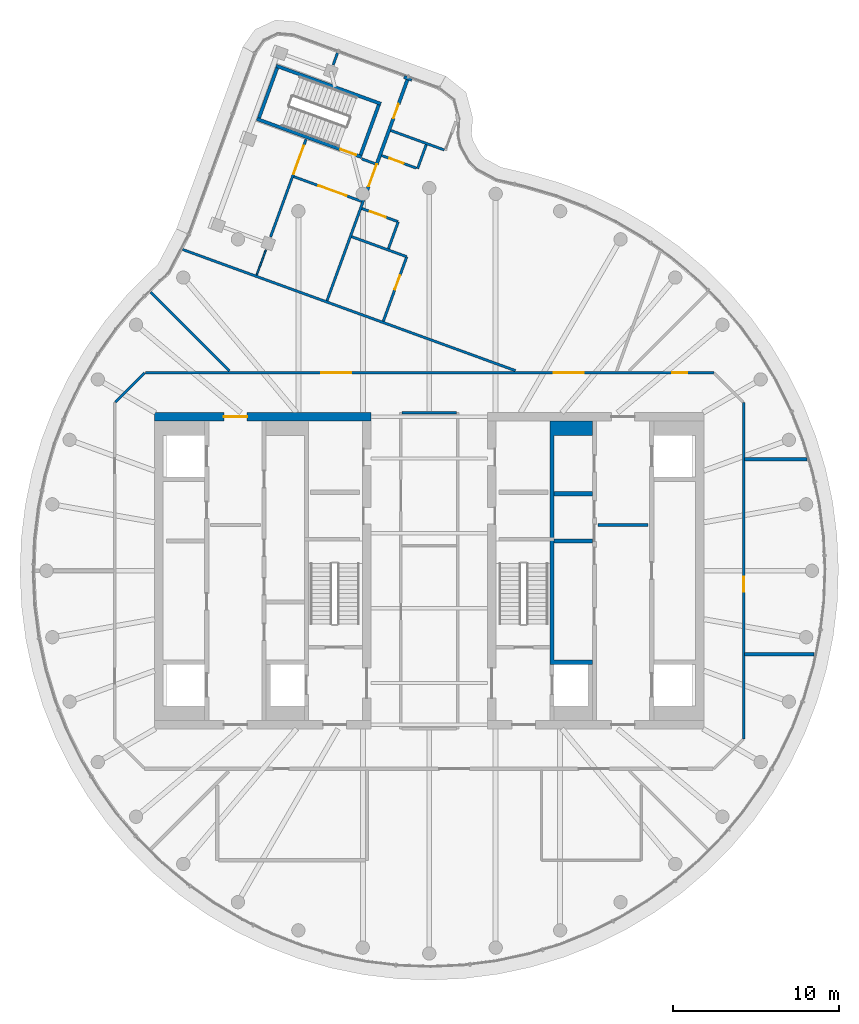
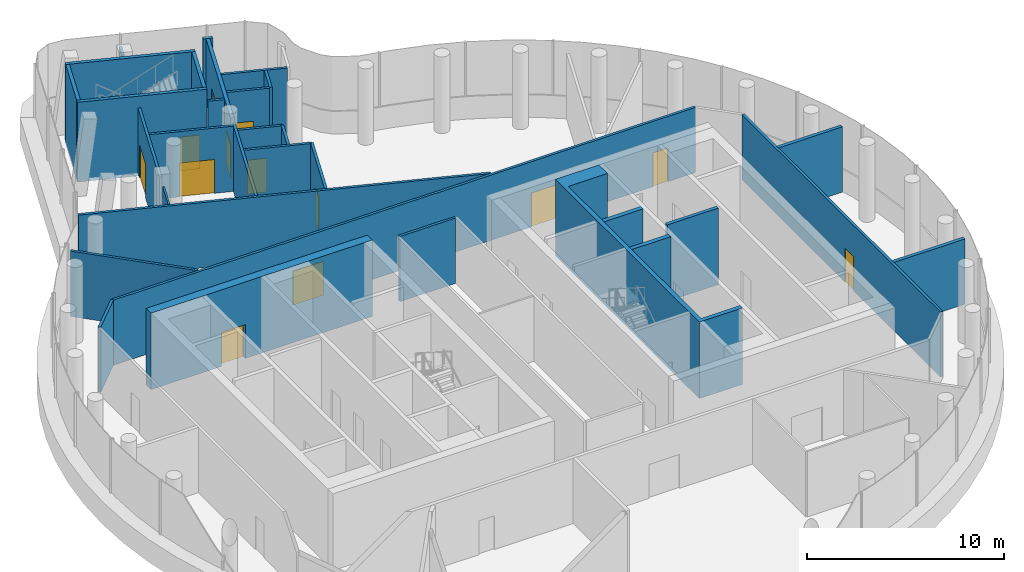
# One storey, part 10 of 12: 32 walls, 13 doors, 13 openings.
"""IFC4 building model written with IfcOpenShell, lengths in metres."""

import ifcopenshell
import ifcopenshell.guid

model = None  # the IFC model being written
_history = None  # IfcOwnerHistory: only IFC2X3 demands one
_inside = {}  # id of a spatial element -> (the spatial element, [elements in it])
_under = {}  # id of a project, library or spatial element -> (it, [spatial elements below it])
_declared = {}  # id of a project -> (the project, [libraries it declares])
_typed = {}  # id of a type object -> (the type object, [elements of that type])
_made_of = {}  # id of a material, layer set ... -> (it, [elements and type objects made of it])


def new_model(schema):
    """Start an empty IFC model of exactly this schema.

    Asked for "IFC4X3", IfcOpenShell would pick the latest addendum, in which some entities
    have other attributes; the version numbers below select the first issue.
    IFC2X3 requires an IfcOwnerHistory on every rooted entity: one is made here for all.
    """
    global model, _history
    if schema == "IFC4X3":
        model = ifcopenshell.file(schema_version=(4, 3, 0, 0))
    else:
        model = ifcopenshell.file(schema=schema)
    _inside.clear()
    _under.clear()
    _declared.clear()
    _typed.clear()
    _made_of.clear()
    _history = None
    if model.schema == "IFC2X3":
        org = make("IfcOrganization", Name="unknown")
        user = make(
            "IfcPersonAndOrganization",
            ThePerson=make("IfcPerson", FamilyName="unknown"),
            TheOrganization=org,
        )
        app = make(
            "IfcApplication",
            ApplicationDeveloper=org,
            Version="unknown",
            ApplicationFullName="unknown",
            ApplicationIdentifier="unknown",
        )
        _history = make(
            "IfcOwnerHistory",
            OwningUser=user,
            OwningApplication=app,
            ChangeAction="ADDED",
            CreationDate=0,
        )
    return model


def make(cls, **values):
    """One entity of the class cls with the attributes given. An attribute that is None is left unset."""
    return model.create_entity(
        cls, **{name: value for name, value in values.items() if value is not None}
    )


def rooted(cls, **values):
    """An entity with a GlobalId (a new one), such as an element, a storey or a relation."""
    return make(cls, GlobalId=ifcopenshell.guid.new(), OwnerHistory=_history, **values)


def si_unit(unit_type, name, prefix=None):
    """IfcSIUnit, for example si_unit("LENGTHUNIT", "METRE", prefix="MILLI")."""
    return make("IfcSIUnit", UnitType=unit_type, Prefix=prefix, Name=name)


def assignment(units):
    """IfcUnitAssignment: the units of a project."""
    return None if units is None else make("IfcUnitAssignment", Units=units)


def point(xyz):
    """IfcCartesianPoint."""
    return None if xyz is None else make("IfcCartesianPoint", Coordinates=xyz)


def direction(xyz):
    """IfcDirection."""
    return None if xyz is None else make("IfcDirection", DirectionRatios=xyz)


def frame(location, z_axis=None, x_axis=None):
    """IfcAxis2Placement3D, a coordinate frame: its origin and axes. An axis left out is left unset."""
    return make(
        "IfcAxis2Placement3D",
        Location=point(location),
        Axis=direction(z_axis),
        RefDirection=direction(x_axis),
    )


def frame_2d(location, x_axis=None):
    """IfcAxis2Placement2D, a coordinate frame in the plane: its origin and x axis."""
    return make(
        "IfcAxis2Placement2D", Location=point(location), RefDirection=direction(x_axis)
    )


def origin():
    """The frame at (0, 0, 0) with its axes left unset."""
    return frame((0.0, 0.0, 0.0))


def place(relative_to, where):
    """IfcLocalPlacement: puts the frame where relative to a parent placement (None: the world)."""
    return make(
        "IfcLocalPlacement", PlacementRelTo=relative_to, RelativePlacement=where
    )


def context(
    kind, dimensions, precision=None, world=None, true_north=None, identifier=None
):
    """IfcGeometricRepresentationContext, for example the 3D "Model" context."""
    return make(
        "IfcGeometricRepresentationContext",
        ContextIdentifier=identifier,
        ContextType=kind,
        CoordinateSpaceDimension=dimensions,
        Precision=precision,
        WorldCoordinateSystem=world,
        TrueNorth=true_north,
    )


def subcontext(parent, identifier, kind, view, scale=None):
    """IfcGeometricRepresentationSubContext, for example "Body" below "Model"."""
    return make(
        "IfcGeometricRepresentationSubContext",
        ContextIdentifier=identifier,
        ContextType=kind,
        ParentContext=parent,
        TargetScale=scale,
        TargetView=view,
    )


def project(units=None, contexts=None):
    """IfcProject with its units and contexts."""
    return rooted(
        "IfcProject",
        Name="project",
        RepresentationContexts=contexts,
        UnitsInContext=assignment(units),
    )


def spatial(cls, under=None, at=None, **own):
    """A site, building, storey or space (cls), placed at a placement, below another one or the project."""
    s = rooted(cls, ObjectPlacement=at, **own)
    if under is not None:
        _under.setdefault(under.id(), (under, []))[1].append(s)
    return s


def polyline(points):
    """IfcPolyline through the points."""
    return make("IfcPolyline", Points=[point(p) for p in points])


def profile(cls, at=None, kind="AREA", **sizes):
    """A parametric profile (cls). Its sizes go by their IFC names, for example OverallWidth=200.0."""
    return make(cls, ProfileType=kind, Position=at, **sizes)


def rectangle(**sizes):
    """IfcRectangleProfileDef."""
    return profile("IfcRectangleProfileDef", **sizes)


def outline(outer, holes=None, kind="AREA"):
    """IfcArbitraryClosedProfileDef: a profile drawn as a closed curve; with holes, ...WithVoids."""
    if holes is None:
        return make("IfcArbitraryClosedProfileDef", ProfileType=kind, OuterCurve=outer)
    return make(
        "IfcArbitraryProfileDefWithVoids",
        ProfileType=kind,
        OuterCurve=outer,
        InnerCurves=holes,
    )


def extrude(swept, where, along, depth):
    """IfcExtrudedAreaSolid: the profile swept, set in the frame where, extruded along a direction by depth."""
    return make(
        "IfcExtrudedAreaSolid",
        SweptArea=swept,
        Position=where,
        ExtrudedDirection=direction(along),
        Depth=depth,
    )


def shape(context_of_items, identifier, shape_type, items):
    """IfcShapeRepresentation: the items that make up one representation, for example the "Body"."""
    return make(
        "IfcShapeRepresentation",
        ContextOfItems=context_of_items,
        RepresentationIdentifier=identifier,
        RepresentationType=shape_type,
        Items=items,
    )


def material(Name=None, Category=None):
    """IfcMaterial."""
    return make("IfcMaterial", Name=Name, Category=Category)


def layer(
    of_material, thickness, ventilated=None, Name=None, Category=None, Priority=None
):
    """IfcMaterialLayer: one layer of a wall or slab, of a material (None: an air gap)."""
    return make(
        "IfcMaterialLayer",
        Material=of_material,
        LayerThickness=thickness,
        IsVentilated=ventilated,
        Name=Name,
        Category=Category,
        Priority=Priority,
    )


def layer_set(layers, Name=None):
    """IfcMaterialLayerSet."""
    return make("IfcMaterialLayerSet", MaterialLayers=layers, LayerSetName=Name)


def made_of(thing, what):
    """Note that an element or type object is made of a material, layer set ...; save() writes the relation."""
    if what is not None:
        _made_of.setdefault(what.id(), (what, []))[1].append(thing)
    return thing


def type_object(cls, material=None, **own):
    """A type object (cls), such as IfcWallType, which elements share."""
    return made_of(rooted(cls, **own), material)


def element(
    cls,
    number,
    at=None,
    inside=None,
    cuts=None,
    type_object=None,
    material=None,
    context=None,
    identifier="Body",
    shape_type=None,
    held_by="IfcProductDefinitionShape",
    body=None,
    shapes=None,
    **own,
):
    """One element of the class cls, such as IfcWall. Its Tag is "e" and its number.

    at: its placement. inside: the storey or other place that contains it. cuts: it is an
    opening in that element (IfcRelVoidsElement). A single representation is given by context,
    identifier, shape_type and body (its items); several are given by shapes. held_by: the class
    of the entity that holds the representations. save() writes the other relations.
    """
    e = rooted(cls, Tag="e%d" % number, ObjectPlacement=at, **own)
    if body is not None:
        shapes = [shape(context, identifier, shape_type, body)]
    if shapes is not None:
        e.Representation = make(held_by, Representations=shapes)
    if inside is not None:
        _inside.setdefault(inside.id(), (inside, []))[1].append(e)
    if cuts is not None:
        rooted(
            "IfcRelVoidsElement", RelatingBuildingElement=cuts, RelatedOpeningElement=e
        )
    if type_object is not None:
        _typed.setdefault(type_object.id(), (type_object, []))[1].append(e)
    return made_of(e, material)


def fill(opening, filler):
    """IfcRelFillsElement: the door or window that sits in an opening."""
    return rooted(
        "IfcRelFillsElement",
        RelatingOpeningElement=opening,
        RelatedBuildingElement=filler,
    )


def aggregate(whole, parts):
    """IfcRelAggregates: a whole, such as a stair, and the parts it consists of."""
    return rooted("IfcRelAggregates", RelatingObject=whole, RelatedObjects=parts)


def save(model, path):
    """Write the relations noted so far, then the file.

    IfcRelAggregates (storeys below a building ...), IfcRelContainedInSpatialStructure (elements
    in a storey), IfcRelDefinesByType, IfcRelAssociatesMaterial and IfcRelDeclares: one each for
    every whole, place, type object, material and project.
    """
    for whole, parts in _under.values():
        aggregate(whole, parts)
    for where, things in _inside.values():
        rooted(
            "IfcRelContainedInSpatialStructure",
            RelatedElements=things,
            RelatingStructure=where,
        )
    for kind, things in _typed.values():
        rooted("IfcRelDefinesByType", RelatedObjects=things, RelatingType=kind)
    for what, things in _made_of.values():
        rooted("IfcRelAssociatesMaterial", RelatedObjects=things, RelatingMaterial=what)
    for by, libraries in _declared.values():
        rooted("IfcRelDeclares", RelatingContext=by, RelatedDefinitions=libraries)
    model.write(path)


model = new_model("IFC4")

# Units and contexts
model_context = context("Model", 3, precision=1e-05, world=origin(), true_north=direction((0.0, 1.0)))
body_context = subcontext(model_context, "Body", "Model", "MODEL_VIEW")
ifc_project = project(units=[si_unit("LENGTHUNIT", "METRE"), si_unit("AREAUNIT", "SQUARE_METRE"), si_unit("VOLUMEUNIT", "CUBIC_METRE"), si_unit("PLANEANGLEUNIT", "RADIAN"), si_unit("MASSUNIT", "GRAM", prefix="KILO")], contexts=[model_context])

# Site, building, storey
site_placement = place(None, origin())
site = spatial("IfcSite", under=ifc_project, at=site_placement, CompositionType="ELEMENT")
building_placement = place(site_placement, origin())
building = spatial("IfcBuilding", under=site, at=building_placement, Name="Tamarind Cross Interchange Tower", CompositionType="ELEMENT")
storey_placement = place(building_placement, frame((0.0, 0.0, 294.39990234375)))
storey = spatial("IfcBuildingStorey", under=building, at=storey_placement, Name="L73", CompositionType="ELEMENT", Elevation=294.39990234375)

# Wall, opening, door
ifc_material_1 = material(Name="Concrete C50", Category="concrete")
ifc_layer_1 = layer(ifc_material_1, 0.5)
ifc_layer_set_1 = layer_set([ifc_layer_1], Name="Concrete C50")
wall_type_1 = type_object("IfcWallType", Name="Core wall 500 mm Concrete C50", PredefinedType="SHEAR", material=ifc_layer_set_1)
wall_1_placement = place(storey_placement, frame((-16.5, 9.25, 0.0), z_axis=(0.0, 0.0, 1.0), x_axis=(1.0, 0.0, 0.0)))
wall_1 = element("IfcWall", 1, at=wall_1_placement, inside=storey, type_object=wall_type_1, Name="Core wall CWL-L73-W-N", PredefinedType="SHEAR", context=body_context, shape_type="SweptSolid", body=[
    extrude(rectangle(XDim=13.0, YDim=0.5, at=frame_2d((6.5, 0.0))), origin(), (0.0, 0.0, 1.0), 4.75),
])
opening_1_placement = place(wall_1_placement, frame((4.14990234375, 0.0, 0.0)))
opening_1 = element("IfcOpeningElement", 2, at=opening_1_placement, cuts=wall_1, Name="Opening DCW3", PredefinedType="OPENING", context=body_context, shape_type="SweptSolid", body=[
    extrude(rectangle(XDim=1.39990234375, YDim=2.10009765625, at=frame_2d((0.699951171875, 1.050048828125))), frame((0.0, 0.260009765625, 0.0), z_axis=(0.0, -1.0, 0.0), x_axis=(1.0, 0.0, 0.0)), (0.0, 0.0, 1.0), 0.52001953125),
])
ifc_material_2 = material(Name="Steel, fire-resisting", Category="steel")
door_type_1 = type_object("IfcDoorType", Name="Core fire door 1400 x 2100 FD90", OperationType="SINGLE_SWING_LEFT", PredefinedType="DOOR", material=ifc_material_2)
door_1_placement = place(opening_1_placement, origin())
door_1 = element("IfcDoor", 3, at=door_1_placement, inside=storey, type_object=door_type_1, Name="L73 observation lobby door", OperationType="SINGLE_SWING_LEFT", OverallHeight=2.10009765625, OverallWidth=1.39990234375, PredefinedType="DOOR", context=body_context, shape_type="SweptSolid", body=[
    extrude(rectangle(XDim=1.39990234375, YDim=2.10009765625, at=frame_2d((0.699951171875, 1.050048828125))), frame((0.0, 0.02490234375, 0.0), z_axis=(0.0, -1.0, 0.0), x_axis=(1.0, 0.0, 0.0)), (0.0, 0.0, 1.0), 0.050048828125),
])
fill(opening_1, door_1)

# Walls
ifc_layer_2 = layer(ifc_material_1, 0.25)
ifc_layer_set_2 = layer_set([ifc_layer_2], Name="Concrete C50")
wall_type_2 = type_object("IfcWallType", Name="Core web wall 250 mm Concrete C50", PredefinedType="SHEAR", material=ifc_layer_set_2)
wall_2_placement = place(storey_placement, origin())
element("IfcWall", 4, at=wall_2_placement, inside=storey, type_object=wall_type_2, Name="Core wall CWL-L73-E-BN", PredefinedType="SHEAR", context=body_context, shape_type="SweptSolid", body=[
    extrude(outline(polyline([(9.800048828125, -5.625), (9.800048828125, -5.375), (7.5, -5.375), (7.5, 8.125), (9.800048828125, 8.125), (9.800048828125, 9.0), (7.5, 9.0), (7.25, 9.0), (7.25, -5.625), (7.5, -5.625), (9.800048828125, -5.625)])), origin(), (0.0, 0.0, 1.0), 4.75),
])
ifc_material_3 = material(Name="Gypsum board partition on steel studs", Category="steel")
ifc_layer_3 = layer(ifc_material_3, 0.10009765625)
ifc_layer_set_3 = layer_set([ifc_layer_3], Name="Gypsum board partition on steel studs")
wall_type_3 = type_object("IfcWallType", Name="Partition 100 mm EI 90", PredefinedType="PARTITIONING", material=ifc_layer_set_3)
wall_3_placement = place(storey_placement, frame((-10.37158203125, 17.772216796875, 0.0), z_axis=(0.0, 0.0, 1.0), x_axis=(0.341926490553, 0.939726702322, 0.0)))
element("IfcWall", 5, at=wall_3_placement, inside=storey, type_object=wall_type_3, Name="Partition L73-027", PredefinedType="PARTITIONING", context=body_context, shape_type="SweptSolid", body=[
    extrude(rectangle(XDim=1.60302734375, YDim=0.10009765625, at=frame_2d((0.801513671875, 0.0))), origin(), (0.0, 0.0, 1.0), 4.050048828125),
])
ifc_layer_4 = layer(ifc_material_3, 0.14990234375)
ifc_layer_set_4 = layer_set([ifc_layer_4], Name="Gypsum board partition on steel studs")
wall_type_4 = type_object("IfcWallType", Name="Partition 150 mm EI 120", PredefinedType="PARTITIONING", material=ifc_layer_set_4)
wall_4_placement = place(storey_placement, frame((-16.740478515625, 16.740478515625, 0.0), z_axis=(0.0, 0.0, 1.0), x_axis=(0.707106781187, -0.707106781187, 0.0)))
element("IfcWall", 6, at=wall_4_placement, inside=storey, type_object=wall_type_4, Name="Partition L73-002", PredefinedType="PARTITIONING", context=body_context, shape_type="SweptSolid", body=[
    extrude(rectangle(XDim=6.690673828125, YDim=0.14990234375, at=frame_2d((3.34521484375, 0.0))), origin(), (0.0, 0.0, 1.0), 4.050048828125),
])
wall_5_placement = place(storey_placement, frame((-14.823486328125, 19.3076171875, 0.0), z_axis=(0.0, 0.0, 1.0), x_axis=(0.939695278184, -0.342012842095, 0.0)))
element("IfcWall", 7, at=wall_5_placement, inside=storey, type_object=wall_type_4, Name="Partition L73-005", PredefinedType="PARTITIONING", context=body_context, shape_type="SweptSolid", body=[
    extrude(rectangle(XDim=21.28857421875, YDim=0.14990234375, at=frame_2d((10.644287109375, 0.0))), origin(), (0.0, 0.0, 1.0), 4.050048828125),
])

# Wall, opening, door
wall_6_placement = place(storey_placement, frame((-8.139404296875, 23.685302734375, 0.0), z_axis=(0.0, 0.0, 1.0), x_axis=(0.939717938518, -0.341950575415, 0.0)))
wall_6 = element("IfcWall", 8, at=wall_6_placement, inside=storey, type_object=wall_type_4, Name="Partition L73-006", PredefinedType="PARTITIONING", context=body_context, shape_type="SweptSolid", body=[
    extrude(rectangle(XDim=4.34521484375, YDim=0.14990234375, at=frame_2d((2.172607421875, 0.0))), origin(), (0.0, 0.0, 1.0), 4.050048828125),
])
opening_2_placement = place(wall_6_placement, frame((1.574951171875, 0.0, 0.0)))
opening_2 = element("IfcOpeningElement", 9, at=opening_2_placement, cuts=wall_6, Name="Opening D01", PredefinedType="OPENING", context=body_context, shape_type="SweptSolid", body=[
    extrude(rectangle(XDim=1.800048828125, YDim=2.10009765625, at=frame_2d((0.89990234375, 1.050048828125))), frame((0.0, 0.0849609375, 0.0), z_axis=(0.0, -1.0, 0.0), x_axis=(1.0, 0.0, 0.0)), (0.0, 0.0, 1.0), 0.169921875),
])
ifc_material_4 = material(Name="Fire-resisting door set")
door_type_2 = type_object("IfcDoorType", Name="Interior door 1800 x 2100 FD60S", OperationType="DOUBLE_DOOR_SINGLE_SWING", PredefinedType="DOOR", material=ifc_material_4)
door_2_placement = place(opening_2_placement, frame((1.800048828125, 0.0, 0.0), z_axis=(0.0, 0.0, 1.0), x_axis=(-1.0, 0.0, 0.0)))
door_2 = element("IfcDoor", 10, at=door_2_placement, inside=storey, type_object=door_type_2, Name="Door D01", OperationType="DOUBLE_DOOR_SINGLE_SWING", OverallHeight=2.10009765625, OverallWidth=1.800048828125, PredefinedType="DOOR", context=body_context, shape_type="SweptSolid", body=[
    extrude(rectangle(XDim=1.800048828125, YDim=2.10009765625, at=frame_2d((0.89990234375, 1.050048828125))), frame((0.0, 0.02490234375, 0.0), z_axis=(0.0, -1.0, 0.0), x_axis=(1.0, 0.0, 0.0)), (0.0, 0.0, 1.0), 0.050048828125),
])
fill(opening_2, door_2)

# Wall
wall_7_placement = place(storey_placement, frame((-4.66357421875, 20.079345703125, 0.0), z_axis=(0.0, 0.0, 1.0), x_axis=(0.939632669741, -0.342184812574, 0.0)))
element("IfcWall", 11, at=wall_7_placement, inside=storey, type_object=wall_type_4, Name="Partition L73-007", PredefinedType="PARTITIONING", context=body_context, shape_type="SweptSolid", body=[
    extrude(rectangle(XDim=3.50537109375, YDim=0.14990234375, at=frame_2d((1.752685546875, 0.0))), origin(), (0.0, 0.0, 1.0), 4.050048828125),
])

# Wall, opening, door
wall_8_placement = place(storey_placement, frame((-4.047607421875, 21.770263671875, 0.0), z_axis=(0.0, 0.0, 1.0), x_axis=(0.939651079277, -0.342134256123, 0.0)))
wall_8 = element("IfcWall", 12, at=wall_8_placement, inside=storey, type_object=wall_type_4, Name="Partition L73-008", PredefinedType="PARTITIONING", context=body_context, shape_type="SweptSolid", body=[
    extrude(rectangle(XDim=2.304931640625, YDim=0.14990234375, at=frame_2d((1.15234375, 0.0))), origin(), (0.0, 0.0, 1.0), 4.050048828125),
])
opening_3_placement = place(wall_8_placement, frame((0.52490234375, 0.0, 0.0)))
opening_3 = element("IfcOpeningElement", 13, at=opening_3_placement, cuts=wall_8, Name="Opening D02", PredefinedType="OPENING", context=body_context, shape_type="SweptSolid", body=[
    extrude(rectangle(XDim=1.0, YDim=2.10009765625, at=frame_2d((0.5, 1.050048828125))), frame((0.0, 0.0849609375, 0.0), z_axis=(0.0, -1.0, 0.0), x_axis=(1.0, 0.0, 0.0)), (0.0, 0.0, 1.0), 0.169921875),
])
door_type_3 = type_object("IfcDoorType", Name="Interior door 1000 x 2100 FD60S", OperationType="SINGLE_SWING_LEFT", PredefinedType="DOOR", material=ifc_material_4)
door_3_placement = place(opening_3_placement, frame((1.0, 0.0, 0.0), z_axis=(0.0, 0.0, 1.0), x_axis=(-1.0, 0.0, 0.0)))
door_3 = element("IfcDoor", 14, at=door_3_placement, inside=storey, type_object=door_type_3, Name="Door D02", OperationType="SINGLE_SWING_LEFT", OverallHeight=2.10009765625, OverallWidth=1.0, PredefinedType="DOOR", context=body_context, shape_type="SweptSolid", body=[
    extrude(rectangle(XDim=1.0, YDim=2.10009765625, at=frame_2d((0.5, 1.050048828125))), frame((0.0, 0.02490234375, 0.0), z_axis=(0.0, -1.0, 0.0), x_axis=(1.0, 0.0, 0.0)), (0.0, 0.0, 1.0), 0.050048828125),
])
fill(opening_3, door_3)

# Wall
wall_9_placement = place(storey_placement, frame((-4.0634765625, 24.755859375, 0.0), z_axis=(0.0, 0.0, 1.0), x_axis=(0.939710329429, -0.341971485308, 0.0)))
element("IfcWall", 15, at=wall_9_placement, inside=storey, type_object=wall_type_4, Name="Partition L73-009", PredefinedType="PARTITIONING", context=body_context, shape_type="SweptSolid", body=[
    extrude(rectangle(XDim=0.858154296875, YDim=0.14990234375, at=frame_2d((0.42919921875, 0.0))), origin(), (0.0, 0.0, 1.0), 4.050048828125),
])

# Wall, opening, door
wall_10_placement = place(storey_placement, frame((-2.861083984375, 24.956787109375, 0.0), z_axis=(0.0, 0.0, 1.0), x_axis=(0.93968419655, -0.342043287836, 0.0)))
wall_10 = element("IfcWall", 16, at=wall_10_placement, inside=storey, type_object=wall_type_4, Name="Partition L73-010", PredefinedType="PARTITIONING", context=body_context, shape_type="SweptSolid", body=[
    extrude(rectangle(XDim=2.2197265625, YDim=0.14990234375, at=frame_2d((1.10986328125, 0.0))), origin(), (0.0, 0.0, 1.0), 4.050048828125),
])
opening_4_placement = place(wall_10_placement, frame((0.5, 0.0, 0.0)))
opening_4 = element("IfcOpeningElement", 17, at=opening_4_placement, cuts=wall_10, Name="Opening D03", PredefinedType="OPENING", context=body_context, shape_type="SweptSolid", body=[
    extrude(rectangle(XDim=0.89990234375, YDim=2.10009765625, at=frame_2d((0.449951171875, 1.050048828125))), frame((0.0, 0.0849609375, 0.0), z_axis=(0.0, -1.0, 0.0), x_axis=(1.0, 0.0, 0.0)), (0.0, 0.0, 1.0), 0.169921875),
])
door_type_4 = type_object("IfcDoorType", Name="Interior door 900 x 2100 FD60S", OperationType="SINGLE_SWING_LEFT", PredefinedType="DOOR", material=ifc_material_4)
door_4_placement = place(opening_4_placement, origin())
door_4 = element("IfcDoor", 18, at=door_4_placement, inside=storey, type_object=door_type_4, Name="Door D03", OperationType="SINGLE_SWING_RIGHT", OverallHeight=2.10009765625, OverallWidth=0.89990234375, PredefinedType="DOOR", context=body_context, shape_type="SweptSolid", body=[
    extrude(rectangle(XDim=0.89990234375, YDim=2.10009765625, at=frame_2d((0.449951171875, 1.050048828125))), frame((0.0, 0.02490234375, 0.0), z_axis=(0.0, -1.0, 0.0), x_axis=(1.0, 0.0, 0.0)), (0.0, 0.0, 1.0), 0.050048828125),
])
fill(opening_4, door_4)

# Wall
wall_11_placement = place(storey_placement, frame((-2.31396484375, 26.460693359375, 0.0), z_axis=(0.0, 0.0, 1.0), x_axis=(0.939653710072, -0.342127030718, 0.0)))
element("IfcWall", 19, at=wall_11_placement, inside=storey, type_object=wall_type_4, Name="Partition L73-011", PredefinedType="PARTITIONING", context=body_context, shape_type="SweptSolid", body=[
    extrude(rectangle(XDim=3.420166015625, YDim=0.14990234375, at=frame_2d((1.7099609375, 0.0))), origin(), (0.0, 0.0, 1.0), 4.050048828125),
])

# Wall, openings, doors
wall_12_placement = place(storey_placement, frame((-17.06494140625, 11.89990234375, 0.0), z_axis=(0.0, 0.0, 1.0), x_axis=(1.0, 0.0, 0.0)))
wall_12 = element("IfcWall", 20, at=wall_12_placement, inside=storey, type_object=wall_type_4, Name="Partition L73-015", PredefinedType="PARTITIONING", context=body_context, shape_type="SweptSolid", body=[
    extrude(rectangle(XDim=34.1650390625, YDim=0.14990234375, at=frame_2d((17.08251953125, 0.0))), origin(), (0.0, 0.0, 1.0), 4.050048828125),
])
opening_5_placement = place(wall_12_placement, frame((24.5439453125, 0.0, 0.0)))
opening_5 = element("IfcOpeningElement", 21, at=opening_5_placement, cuts=wall_12, Name="Opening D08", PredefinedType="OPENING", context=body_context, shape_type="SweptSolid", body=[
    extrude(rectangle(XDim=1.800048828125, YDim=2.10009765625, at=frame_2d((0.89990234375, 1.050048828125))), frame((0.0, 0.0849609375, 0.0), z_axis=(0.0, -1.0, 0.0), x_axis=(1.0, 0.0, 0.0)), (0.0, 0.0, 1.0), 0.169921875),
])
opening_6_placement = place(wall_12_placement, frame((31.6650390625, 0.0, 0.0)))
opening_6 = element("IfcOpeningElement", 22, at=opening_6_placement, cuts=wall_12, Name="Opening D09", PredefinedType="OPENING", context=body_context, shape_type="SweptSolid", body=[
    extrude(rectangle(XDim=0.89990234375, YDim=2.10009765625, at=frame_2d((0.449951171875, 1.050048828125))), frame((0.0, 0.0849609375, 0.0), z_axis=(0.0, -1.0, 0.0), x_axis=(1.0, 0.0, 0.0)), (0.0, 0.0, 1.0), 0.169921875),
])
opening_7_placement = place(wall_12_placement, frame((10.56494140625, 0.0, 0.0)))
opening_7 = element("IfcOpeningElement", 23, at=opening_7_placement, cuts=wall_12, Name="Opening D10", PredefinedType="OPENING", context=body_context, shape_type="SweptSolid", body=[
    extrude(rectangle(XDim=1.800048828125, YDim=2.10009765625, at=frame_2d((0.89990234375, 1.050048828125))), frame((0.0, 0.0849609375, 0.0), z_axis=(0.0, -1.0, 0.0), x_axis=(1.0, 0.0, 0.0)), (0.0, 0.0, 1.0), 0.169921875),
])
door_5_placement = place(opening_5_placement, frame((1.800048828125, 0.0, 0.0), z_axis=(0.0, 0.0, 1.0), x_axis=(-1.0, 0.0, 0.0)))
door_5 = element("IfcDoor", 24, at=door_5_placement, inside=storey, type_object=door_type_2, Name="Door D08", OperationType="DOUBLE_DOOR_SINGLE_SWING", OverallHeight=2.10009765625, OverallWidth=1.800048828125, PredefinedType="DOOR", context=body_context, shape_type="SweptSolid", body=[
    extrude(rectangle(XDim=1.800048828125, YDim=2.10009765625, at=frame_2d((0.89990234375, 1.050048828125))), frame((0.0, 0.02490234375, 0.0), z_axis=(0.0, -1.0, 0.0), x_axis=(1.0, 0.0, 0.0)), (0.0, 0.0, 1.0), 0.050048828125),
])
fill(opening_5, door_5)
door_6_placement = place(opening_7_placement, origin())
door_6 = element("IfcDoor", 25, at=door_6_placement, inside=storey, type_object=door_type_2, Name="Door D10", OperationType="DOUBLE_DOOR_SINGLE_SWING", OverallHeight=2.10009765625, OverallWidth=1.800048828125, PredefinedType="DOOR", context=body_context, shape_type="SweptSolid", body=[
    extrude(rectangle(XDim=1.800048828125, YDim=2.10009765625, at=frame_2d((0.89990234375, 1.050048828125))), frame((0.0, 0.02490234375, 0.0), z_axis=(0.0, -1.0, 0.0), x_axis=(1.0, 0.0, 0.0)), (0.0, 0.0, 1.0), 0.050048828125),
])
fill(opening_7, door_6)
door_7_placement = place(opening_6_placement, origin())
door_7 = element("IfcDoor", 26, at=door_7_placement, inside=storey, type_object=door_type_4, Name="Door D09", OperationType="SINGLE_SWING_LEFT", OverallHeight=2.10009765625, OverallWidth=0.89990234375, PredefinedType="DOOR", context=body_context, shape_type="SweptSolid", body=[
    extrude(rectangle(XDim=0.89990234375, YDim=2.10009765625, at=frame_2d((0.449951171875, 1.050048828125))), frame((0.0, 0.02490234375, 0.0), z_axis=(0.0, -1.0, 0.0), x_axis=(1.0, 0.0, 0.0)), (0.0, 0.0, 1.0), 0.050048828125),
])
fill(opening_6, door_7)

# Walls
wall_13_placement = place(storey_placement, frame((-1.639892578125, 9.5, 0.0), z_axis=(0.0, 0.0, 1.0), x_axis=(1.0, 0.0, 0.0)))
element("IfcWall", 27, at=wall_13_placement, inside=storey, type_object=wall_type_4, Name="Partition L73-020", PredefinedType="PARTITIONING", context=body_context, shape_type="SweptSolid", body=[
    extrude(rectangle(XDim=3.27978515625, YDim=0.14990234375, at=frame_2d((1.639892578125, 0.0))), origin(), (0.0, 0.0, 1.0), 4.050048828125),
])
wall_14_placement = place(storey_placement, frame((-18.87158203125, 10.12841796875, 0.0), z_axis=(0.0, 0.0, 1.0), x_axis=(0.707106781187, 0.707106781187, 0.0)))
element("IfcWall", 28, at=wall_14_placement, inside=storey, type_object=wall_type_4, Name="Partition L73-023", PredefinedType="PARTITIONING", context=body_context, shape_type="SweptSolid", body=[
    extrude(rectangle(XDim=2.50537109375, YDim=0.14990234375, at=frame_2d((1.252685546875, 0.0))), origin(), (0.0, 0.0, 1.0), 4.050048828125),
])

# Wall, opening, door
wall_15_placement = place(storey_placement, frame((-9.5380859375, 20.06201171875, 0.0), z_axis=(0.0, 0.0, 1.0), x_axis=(0.342025642212, 0.939690619337, 0.0)))
wall_15 = element("IfcWall", 29, at=wall_15_placement, inside=storey, type_object=wall_type_4, Name="Partition L73-028", PredefinedType="PARTITIONING", context=body_context, shape_type="SweptSolid", body=[
    extrude(rectangle(XDim=6.242919921875, YDim=0.14990234375, at=frame_2d((3.12158203125, 0.0))), origin(), (0.0, 0.0, 1.0), 4.050048828125),
])
opening_8_placement = place(wall_15_placement, frame((4.033203125, 0.0, 0.0)))
opening_8 = element("IfcOpeningElement", 30, at=opening_8_placement, cuts=wall_15, Name="Opening D11", PredefinedType="OPENING", context=body_context, shape_type="SweptSolid", body=[
    extrude(rectangle(XDim=1.800048828125, YDim=2.10009765625, at=frame_2d((0.89990234375, 1.050048828125))), frame((0.0, 0.0849609375, 0.0), z_axis=(0.0, -1.0, 0.0), x_axis=(1.0, 0.0, 0.0)), (0.0, 0.0, 1.0), 0.169921875),
])
door_8_placement = place(opening_8_placement, origin())
door_8 = element("IfcDoor", 31, at=door_8_placement, inside=storey, type_object=door_type_2, Name="Door D11", OperationType="DOUBLE_DOOR_SINGLE_SWING", OverallHeight=2.10009765625, OverallWidth=1.800048828125, PredefinedType="DOOR", context=body_context, shape_type="SweptSolid", body=[
    extrude(rectangle(XDim=1.800048828125, YDim=2.10009765625, at=frame_2d((0.89990234375, 1.050048828125))), frame((0.0, 0.02490234375, 0.0), z_axis=(0.0, -1.0, 0.0), x_axis=(1.0, 0.0, 0.0)), (0.0, 0.0, 1.0), 0.050048828125),
])
fill(opening_8, door_8)

# Walls
wall_16_placement = place(storey_placement, frame((-5.77587890625, 30.398681640625, 0.0), z_axis=(0.0, 0.0, 1.0), x_axis=(0.342144074628, 0.939647504225, 0.0)))
element("IfcWall", 32, at=wall_16_placement, inside=storey, type_object=wall_type_4, Name="Partition L73-029", PredefinedType="PARTITIONING", context=body_context, shape_type="SweptSolid", body=[
    extrude(rectangle(XDim=0.781982421875, YDim=0.14990234375, at=frame_2d((0.39111328125, 0.0))), origin(), (0.0, 0.0, 1.0), 4.050048828125),
])
wall_17_placement = place(storey_placement, frame((-6.144287109375, 16.228515625, 0.0), z_axis=(0.0, 0.0, 1.0), x_axis=(0.341892869115, 0.93973893505, 0.0)))
element("IfcWall", 33, at=wall_17_placement, inside=storey, type_object=wall_type_4, Name="Partition L73-030", PredefinedType="PARTITIONING", context=body_context, shape_type="SweptSolid", body=[
    extrude(rectangle(XDim=6.54248046875, YDim=0.14990234375, at=frame_2d((3.271240234375, 0.0))), origin(), (0.0, 0.0, 1.0), 4.050048828125),
])

# Wall, opening, door
wall_18_placement = place(storey_placement, frame((-2.761474609375, 14.99755859375, 0.0), z_axis=(0.0, 0.0, 1.0), x_axis=(0.341985460064, 0.939705243736, 0.0)))
wall_18 = element("IfcWall", 34, at=wall_18_placement, inside=storey, type_object=wall_type_4, Name="Partition L73-032", PredefinedType="PARTITIONING", context=body_context, shape_type="SweptSolid", body=[
    extrude(rectangle(XDim=4.124267578125, YDim=0.14990234375, at=frame_2d((2.06201171875, 0.0))), origin(), (0.0, 0.0, 1.0), 4.050048828125),
])
opening_9_placement = place(wall_18_placement, frame((2.02490234375, 0.0, 0.0)))
opening_9 = element("IfcOpeningElement", 35, at=opening_9_placement, cuts=wall_18, Name="Opening D14", PredefinedType="OPENING", context=body_context, shape_type="SweptSolid", body=[
    extrude(rectangle(XDim=0.89990234375, YDim=2.10009765625, at=frame_2d((0.449951171875, 1.050048828125))), frame((0.0, 0.0849609375, 0.0), z_axis=(0.0, -1.0, 0.0), x_axis=(1.0, 0.0, 0.0)), (0.0, 0.0, 1.0), 0.169921875),
])
door_9_placement = place(opening_9_placement, origin())
door_9 = element("IfcDoor", 36, at=door_9_placement, inside=storey, type_object=door_type_4, Name="Door D14", OperationType="SINGLE_SWING_LEFT", OverallHeight=2.10009765625, OverallWidth=0.89990234375, PredefinedType="DOOR", context=body_context, shape_type="SweptSolid", body=[
    extrude(rectangle(XDim=0.89990234375, YDim=2.10009765625, at=frame_2d((0.449951171875, 1.050048828125))), frame((0.0, 0.02490234375, 0.0), z_axis=(0.0, -1.0, 0.0), x_axis=(1.0, 0.0, 0.0)), (0.0, 0.0, 1.0), 0.050048828125),
])
fill(opening_9, door_9)

# Walls
wall_19_placement = place(storey_placement, frame((-2.452392578125, 19.3544921875, 0.0), z_axis=(0.0, 0.0, 1.0), x_axis=(0.341765797908, 0.939785155969, 0.0)))
element("IfcWall", 37, at=wall_19_placement, inside=storey, type_object=wall_type_4, Name="Partition L73-034", PredefinedType="PARTITIONING", context=body_context, shape_type="SweptSolid", body=[
    extrude(rectangle(XDim=1.724365234375, YDim=0.14990234375, at=frame_2d((0.8623046875, 0.0))), origin(), (0.0, 0.0, 1.0), 4.050048828125),
])
wall_20_placement = place(storey_placement, frame((-0.700927734375, 24.17041015625, 0.0), z_axis=(0.0, 0.0, 1.0), x_axis=(0.341897280994, 0.939737329922, 0.0)))
element("IfcWall", 38, at=wall_20_placement, inside=storey, type_object=wall_type_4, Name="Partition L73-035", PredefinedType="PARTITIONING", context=body_context, shape_type="SweptSolid", body=[
    extrude(rectangle(XDim=1.525146484375, YDim=0.14990234375, at=frame_2d((0.7626953125, 0.0))), origin(), (0.0, 0.0, 1.0), 4.050048828125),
])

# Wall, opening, door
wall_21_placement = place(storey_placement, frame((18.89990234375, -10.10009765625, 0.0), z_axis=(0.0, 0.0, 1.0), x_axis=(0.0, 1.0, 0.0)))
wall_21 = element("IfcWall", 39, at=wall_21_placement, inside=storey, type_object=wall_type_4, Name="Partition L73-044", PredefinedType="PARTITIONING", context=body_context, shape_type="SweptSolid", body=[
    extrude(rectangle(XDim=20.2001953125, YDim=0.14990234375, at=frame_2d((10.10009765625, 0.0))), origin(), (0.0, 0.0, 1.0), 4.050048828125),
])
opening_10_placement = place(wall_21_placement, frame((8.827880859375, 0.0, 0.0)))
opening_10 = element("IfcOpeningElement", 40, at=opening_10_placement, cuts=wall_21, Name="Opening D20", PredefinedType="OPENING", context=body_context, shape_type="SweptSolid", body=[
    extrude(rectangle(XDim=0.89990234375, YDim=2.10009765625, at=frame_2d((0.449951171875, 1.050048828125))), frame((0.0, 0.0849609375, 0.0), z_axis=(0.0, -1.0, 0.0), x_axis=(1.0, 0.0, 0.0)), (0.0, 0.0, 1.0), 0.169921875),
])
door_10_placement = place(opening_10_placement, frame((0.89990234375, 0.0, 0.0), z_axis=(0.0, 0.0, 1.0), x_axis=(-1.0, 0.0, 0.0)))
door_10 = element("IfcDoor", 41, at=door_10_placement, inside=storey, type_object=door_type_4, Name="Door D20", OperationType="SINGLE_SWING_LEFT", OverallHeight=2.10009765625, OverallWidth=0.89990234375, PredefinedType="DOOR", context=body_context, shape_type="SweptSolid", body=[
    extrude(rectangle(XDim=0.89990234375, YDim=2.10009765625, at=frame_2d((0.449951171875, 1.050048828125))), frame((0.0, 0.02490234375, 0.0), z_axis=(0.0, -1.0, 0.0), x_axis=(1.0, 0.0, 0.0)), (0.0, 0.0, 1.0), 0.050048828125),
])
fill(opening_10, door_10)

# Walls
ifc_layer_5 = layer(ifc_material_3, 0.199951171875)
ifc_layer_set_5 = layer_set([ifc_layer_5], Name="Gypsum board partition on steel studs")
wall_type_5 = type_object("IfcWallType", Name="Partition 200 mm EI 180", PredefinedType="PARTITIONING", material=ifc_layer_set_5)
wall_22_placement = place(storey_placement, frame((18.955078125, -5.02197265625, 0.0), z_axis=(0.0, 0.0, 1.0), x_axis=(1.0, 0.0, 0.0)))
element("IfcWall", 42, at=wall_22_placement, inside=storey, type_object=wall_type_5, Name="Partition L73-021", PredefinedType="PARTITIONING", context=body_context, shape_type="SweptSolid", body=[
    extrude(rectangle(XDim=4.18212890625, YDim=0.199951171875, at=frame_2d((2.091064453125, 0.0))), origin(), (0.0, 0.0, 1.0), 4.050048828125),
])
wall_23_placement = place(storey_placement, frame((18.955078125, 6.696044921875, 0.0), z_axis=(0.0, 0.0, 1.0), x_axis=(1.0, 0.0, 0.0)))
element("IfcWall", 43, at=wall_23_placement, inside=storey, type_object=wall_type_5, Name="Partition L73-022", PredefinedType="PARTITIONING", context=body_context, shape_type="SweptSolid", body=[
    extrude(rectangle(XDim=3.75341796875, YDim=0.199951171875, at=frame_2d((1.876708984375, 0.0))), origin(), (0.0, 0.0, 1.0), 4.050048828125),
])

# Wall, openings, doors
wall_24_placement = place(storey_placement, frame((-3.753662109375, 22.799560546875, 0.0), z_axis=(0.0, 0.0, 1.0), x_axis=(0.341899737301, 0.939736436259, 0.0)))
wall_24 = element("IfcWall", 44, at=wall_24_placement, inside=storey, type_object=wall_type_5, Name="Partition L73-031", PredefinedType="PARTITIONING", context=body_context, shape_type="SweptSolid", body=[
    extrude(rectangle(XDim=7.13134765625, YDim=0.199951171875, at=frame_2d((3.565673828125, 0.0))), origin(), (0.0, 0.0, 1.0), 4.050048828125),
])
opening_11_placement = place(wall_24_placement, frame((0.332275390625, 0.0, 0.0)))
opening_11 = element("IfcOpeningElement", 45, at=opening_11_placement, cuts=wall_24, Name="Opening D12", PredefinedType="OPENING", context=body_context, shape_type="SweptSolid", body=[
    extrude(rectangle(XDim=1.39990234375, YDim=2.10009765625, at=frame_2d((0.699951171875, 1.050048828125))), frame((0.0, 0.10986328125, 0.0), z_axis=(0.0, -1.0, 0.0), x_axis=(1.0, 0.0, 0.0)), (0.0, 0.0, 1.0), 0.219970703125),
])
opening_12_placement = place(wall_24_placement, frame((4.6826171875, 0.0, 0.0)))
opening_12 = element("IfcOpeningElement", 46, at=opening_12_placement, cuts=wall_24, Name="Opening D13", PredefinedType="OPENING", context=body_context, shape_type="SweptSolid", body=[
    extrude(rectangle(XDim=0.89990234375, YDim=2.10009765625, at=frame_2d((0.449951171875, 1.050048828125))), frame((0.0, 0.10986328125, 0.0), z_axis=(0.0, -1.0, 0.0), x_axis=(1.0, 0.0, 0.0)), (0.0, 0.0, 1.0), 0.219970703125),
])
door_type_5 = type_object("IfcDoorType", Name="Interior door 1400 x 2100 FD120S", OperationType="DOUBLE_DOOR_SINGLE_SWING", PredefinedType="DOOR", material=ifc_material_4)
door_11_placement = place(opening_11_placement, frame((1.39990234375, 0.0, 0.0), z_axis=(0.0, 0.0, 1.0), x_axis=(-1.0, 0.0, 0.0)))
door_11 = element("IfcDoor", 47, at=door_11_placement, inside=storey, type_object=door_type_5, Name="Door D12", OperationType="DOUBLE_DOOR_SINGLE_SWING", OverallHeight=2.10009765625, OverallWidth=1.39990234375, PredefinedType="DOOR", context=body_context, shape_type="SweptSolid", body=[
    extrude(rectangle(XDim=1.39990234375, YDim=2.10009765625, at=frame_2d((0.699951171875, 1.050048828125))), frame((0.0, 0.02490234375, 0.0), z_axis=(0.0, -1.0, 0.0), x_axis=(1.0, 0.0, 0.0)), (0.0, 0.0, 1.0), 0.050048828125),
])
fill(opening_11, door_11)
door_type_6 = type_object("IfcDoorType", Name="Interior door 900 x 2100 FD120S", OperationType="SINGLE_SWING_LEFT", PredefinedType="DOOR", material=ifc_material_4)
door_12_placement = place(opening_12_placement, origin())
door_12 = element("IfcDoor", 48, at=door_12_placement, inside=storey, type_object=door_type_6, Name="Door D13", OperationType="SINGLE_SWING_LEFT", OverallHeight=2.10009765625, OverallWidth=0.89990234375, PredefinedType="DOOR", context=body_context, shape_type="SweptSolid", body=[
    extrude(rectangle(XDim=0.89990234375, YDim=2.10009765625, at=frame_2d((0.449951171875, 1.050048828125))), frame((0.0, 0.02490234375, 0.0), z_axis=(0.0, -1.0, 0.0), x_axis=(1.0, 0.0, 0.0)), (0.0, 0.0, 1.0), 0.050048828125),
])
fill(opening_12, door_12)

# Walls
wall_25_placement = place(storey_placement, frame((-1.04638671875, 29.509765625, 0.0), z_axis=(0.0, 0.0, 1.0), x_axis=(-0.939736367656, 0.341899925862, 0.0)))
element("IfcWall", 49, at=wall_25_placement, inside=storey, type_object=wall_type_5, Name="Partition L73-046", PredefinedType="PARTITIONING", context=body_context, shape_type="SweptSolid", body=[
    extrude(rectangle(XDim=0.499755859375, YDim=0.199951171875, at=frame_2d((0.25, 0.0))), origin(), (0.0, 0.0, 1.0), 4.050048828125),
])
ifc_material_5 = material(Name="Concrete C40", Category="concrete")
ifc_layer_6 = layer(ifc_material_5, 0.199951171875)
ifc_layer_set_6 = layer_set([ifc_layer_6], Name="Concrete C40")
wall_type_6 = type_object("IfcWallType", Name="Shaft and lobby wall 200 mm Concrete C40", PredefinedType="PARTITIONING", material=ifc_layer_set_6)
wall_26_placement = place(storey_placement, frame((13.14990234375, 2.75, 0.0), z_axis=(0.0, 0.0, 1.0), x_axis=(-1.0, 0.0, 0.0)))
element("IfcWall", 50, at=wall_26_placement, inside=storey, type_object=wall_type_6, Name="Shaft wall CWL-L73-E-OBS", PredefinedType="PARTITIONING", context=body_context, shape_type="SweptSolid", body=[
    extrude(rectangle(XDim=3.0, YDim=0.199951171875, at=frame_2d((1.5, 0.0))), origin(), (0.0, 0.0, 1.0), 4.75),
])
ifc_layer_7 = layer(ifc_material_5, 0.25)
ifc_layer_set_7 = layer_set([ifc_layer_7], Name="Concrete C40")
wall_type_7 = type_object("IfcWallType", Name="Shaft and lobby wall 250 mm Concrete C40", PredefinedType="PARTITIONING", material=ifc_layer_set_7)
for number, where, z_axis, x_axis, name in (
    (51, (9.800048828125, 1.7919921875, 0.0), (0.0, 0.0, 1.0), (-1.0, 0.0, 0.0), "Shaft wall CWL-L73-E-FPB3"),
    (52, (9.800048828125, 4.625, 0.0), (0.0, 0.0, 1.0), (-1.0, 0.0, 0.0), "Shaft wall CWL-L73-E-FPB4"),
):
    element("IfcWall", number, at=place(storey_placement, frame(where, z_axis=z_axis, x_axis=x_axis)), inside=storey, type_object=wall_type_7, Name=name, PredefinedType="PARTITIONING", context=body_context, shape_type="SweptSolid", body=[
        extrude(rectangle(XDim=2.300048828125, YDim=0.25, at=frame_2d((1.14990234375, 0.0))), origin(), (0.0, 0.0, 1.0), 4.75),
    ])

# Wall, opening, door
ifc_layer_8 = layer(ifc_material_5, 0.199951171875)
ifc_layer_set_8 = layer_set([ifc_layer_8], Name="Concrete C40")
wall_type_8 = type_object("IfcWallType", Name="Stair shaft wall 200 mm Concrete C40", PredefinedType="SHEAR", material=ifc_layer_set_8)
wall_27_placement = place(storey_placement, frame((-4.06591796875, 24.86328125, -0.199951171875), z_axis=(0.0, 0.0, 1.0), x_axis=(-0.939709347419, 0.341974183781, 0.0)))
wall_27 = element("IfcWall", 53, at=wall_27_placement, inside=storey, type_object=wall_type_8, Name="Core wall CWL-L73-ST4-H", PredefinedType="SHEAR", context=body_context, shape_type="SweptSolid", body=[
    extrude(rectangle(XDim=6.7001953125, YDim=0.199951171875, at=frame_2d((3.35009765625, 0.0))), origin(), (0.0, 0.0, 1.0), 4.949951171875),
])
opening_13_placement = place(wall_27_placement, frame((0.35009765625, 0.0, 0.0)))
opening_13 = element("IfcOpeningElement", 54, at=opening_13_placement, cuts=wall_27, Name="Opening ST4L73", PredefinedType="OPENING", context=body_context, shape_type="SweptSolid", body=[
    extrude(rectangle(XDim=1.0, YDim=2.10009765625, at=frame_2d((0.5, 1.050048828125))), frame((0.0, 0.10986328125, 0.0), z_axis=(0.0, -1.0, 0.0), x_axis=(1.0, 0.0, 0.0)), (0.0, 0.0, 1.0), 0.219970703125),
])
door_type_7 = type_object("IfcDoorType", Name="Core fire door 1000 x 2100 FD90", OperationType="SINGLE_SWING_LEFT", PredefinedType="DOOR", material=ifc_material_2)
door_13_placement = place(opening_13_placement, origin())
door_13 = element("IfcDoor", 55, at=door_13_placement, inside=storey, type_object=door_type_7, Name="L73 stair door ST4", OperationType="SINGLE_SWING_LEFT", OverallHeight=2.10009765625, OverallWidth=1.0, PredefinedType="DOOR", context=body_context, shape_type="SweptSolid", body=[
    extrude(rectangle(XDim=1.0, YDim=2.10009765625, at=frame_2d((0.5, 1.050048828125))), frame((0.0, 0.02490234375, 0.0), z_axis=(0.0, -1.0, 0.0), x_axis=(1.0, 0.0, 0.0)), (0.0, 0.0, 1.0), 0.050048828125),
])
fill(opening_13, door_13)

# Walls
wall_28_placement = place(storey_placement, frame((-2.9033203125, 28.05810546875, -0.199951171875), z_axis=(0.0, 0.0, 1.0), x_axis=(-0.939693375008, 0.342018071111, 0.0)))
element("IfcWall", 56, at=wall_28_placement, inside=storey, type_object=wall_type_8, Name="Core wall CWL-L73-ST4-C", PredefinedType="SHEAR", context=body_context, shape_type="SweptSolid", body=[
    extrude(rectangle(XDim=6.699951171875, YDim=0.199951171875, at=frame_2d((3.35009765625, 0.0))), origin(), (0.0, 0.0, 1.0), 4.949951171875),
])
wall_29_placement = place(storey_placement, frame((-3.031494140625, 27.998291015625, -0.199951171875), z_axis=(0.0, 0.0, 1.0), x_axis=(-0.341975850632, -0.939708740826, 0.0)))
element("IfcWall", 57, at=wall_29_placement, inside=storey, type_object=wall_type_8, Name="Core wall CWL-L73-ST4-CE", PredefinedType="SHEAR", context=body_context, shape_type="SweptSolid", body=[
    extrude(rectangle(XDim=3.19970703125, YDim=0.199951171875, at=frame_2d((1.599853515625, 0.0))), origin(), (0.0, 0.0, 1.0), 4.949951171875),
])
wall_30_placement = place(storey_placement, frame((0.0, 0.0, -0.199951171875)))
element("IfcWall", 58, at=wall_30_placement, inside=storey, type_object=wall_type_8, Name="Core wall CWL-L73-ST4-CF", PredefinedType="SHEAR", context=body_context, shape_type="SweptSolid", body=[
    extrude(outline(polyline([(-9.04541015625, 30.187255859375), (-9.2333984375, 30.255615234375), (-10.327880859375, 27.24853515625), (-10.139892578125, 27.18017578125), (-9.04541015625, 30.187255859375)])), origin(), (0.0, 0.0, 1.0), 4.949951171875),
])

save(model, "model.ifc")
